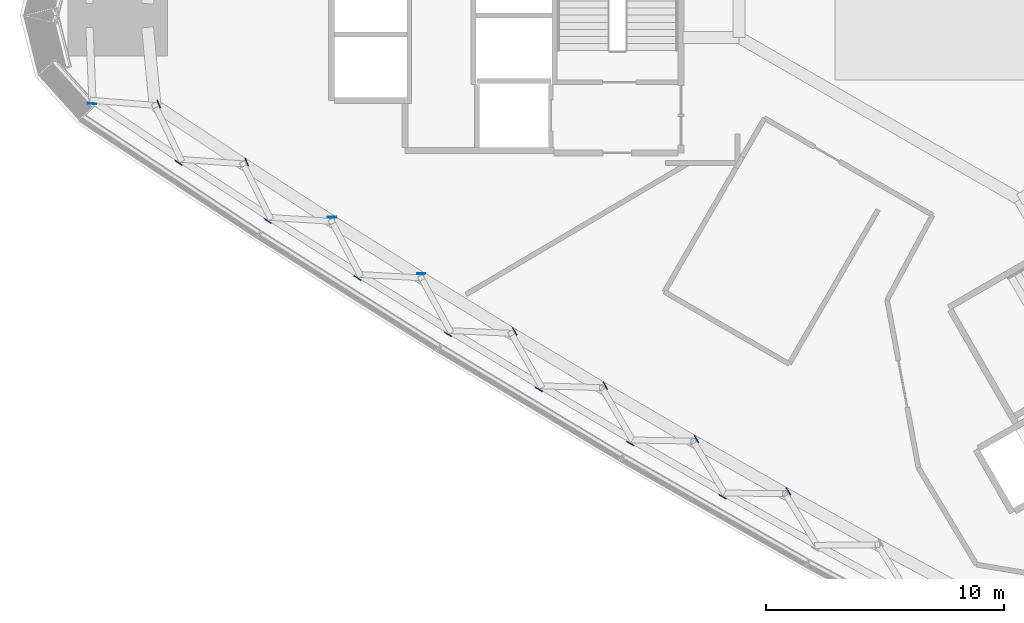
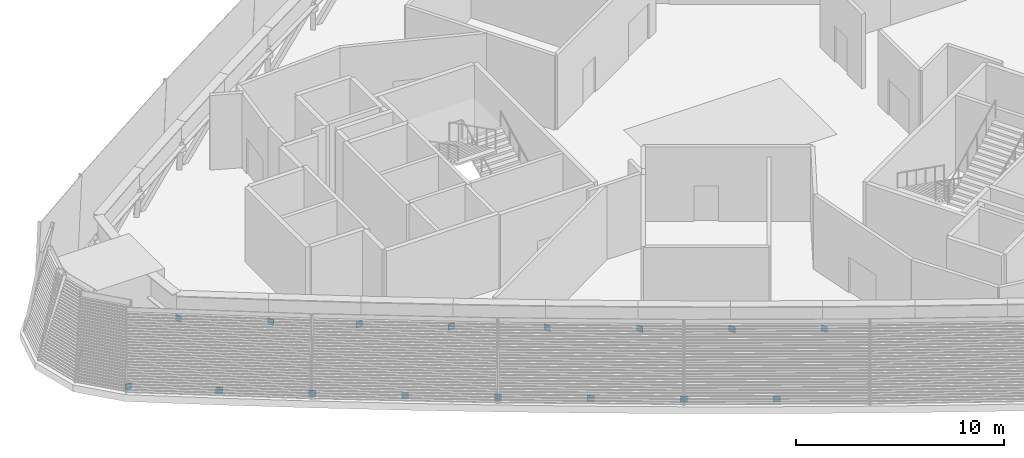
# One storey, part 6 of 19: 16 plates.
"""IFC4 building model written with IfcOpenShell, lengths in metres."""

from ifc_helpers import new_model, si_unit, direction, frame, origin, origin_2d, place, context, subcontext, project, spatial, rectangle, extrude, material, layer, layer_set, type_object, element, save


model = new_model("IFC4")

# Units and contexts
model_context = context("Model", 3, precision=1e-05, world=origin(), true_north=direction((0.0, 1.0)))
body_context = subcontext(model_context, "Body", "Model", "MODEL_VIEW")
ifc_project = project(units=[si_unit("LENGTHUNIT", "METRE"), si_unit("AREAUNIT", "SQUARE_METRE"), si_unit("VOLUMEUNIT", "CUBIC_METRE"), si_unit("PLANEANGLEUNIT", "RADIAN"), si_unit("MASSUNIT", "GRAM", prefix="KILO")], contexts=[model_context])

# Site, building, storey
site_placement = place(None, origin())
site = spatial("IfcSite", under=ifc_project, at=site_placement, CompositionType="ELEMENT")
building_placement = place(site_placement, origin())
building = spatial("IfcBuilding", under=site, at=building_placement, Name="Tamra Quay Hotel Tower", CompositionType="ELEMENT")
storey_placement = place(building_placement, frame((0.0, 0.0, 74.60009765625)))
storey = spatial("IfcBuildingStorey", under=building, at=storey_placement, Name="L17", CompositionType="ELEMENT", Elevation=74.60009765625)

# Plates
ifc_material = material(Name="Structural steel IS 2062 E350", Category="steel")
ifc_layer = layer(ifc_material, 0.030029296875)
ifc_layer_set = layer_set([ifc_layer], Name="BRACE END PLATE 30")
plate_type = type_object("IfcPlateType", Name="BRACE END PLATE 30", PredefinedType="SHEET", material=ifc_layer_set)
for number, where, z_axis, x_axis, name in (
    (1, (-35.5947265625, -3.704345703125, -0.400146484375), (0.0, 0.0, 1.0), (0.080174568402, 0.996780837788, 0.0), "BEP-L17-029"),
    (2, (-31.962890625, -6.1904296875, -0.400146484375), (0.0, 0.0, 1.0), (0.563220345903, 0.826306748103, 0.0), "BEP-L17-030"),
    (3, (-28.21630859375, -8.632568359375, -0.400146484375), (0.0, 0.0, 1.0), (0.552053412357, 0.833808748998, 0.0), "BEP-L17-031"),
    (4, (-24.44287109375, -11.034423828125, -0.400146484375), (0.0, 0.0, 1.0), (0.540633876551, 0.841257993439, 0.0), "BEP-L17-032"),
    (5, (-20.643798828125, -13.3955078125, -0.400146484375), (0.0, 0.0, 1.0), (0.529133091379, 0.848538845079, 0.0), "BEP-L17-033"),
    (6, (-16.820068359375, -15.71484375, -0.400146484375), (0.0, 0.0, 1.0), (0.517611924363, 0.855615506964, 0.0), "BEP-L17-034"),
    (7, (-12.970703125, -17.9931640625, -0.400146484375), (0.0, 0.0, 1.0), (0.505898274548, 0.862593146164, 0.0), "BEP-L17-035"),
    (8, (-9.09716796875, -20.2294921875, -0.400146484375), (0.0, 0.0, 1.0), (0.494086027513, 0.869413018891, 0.0), "BEP-L17-036"),
    (9, (-32.796630859375, -3.71240234375, 2.624755859375), (0.0, 0.0, 1.0), (0.92392961774, 0.382562493539, 0.0), "BEP-L17-069"),
    (10, (-29.09228515625, -6.168701171875, 2.624755859375), (0.0, 0.0, 1.0), (0.918850450187, 0.394605942925, 0.0), "BEP-L17-070"),
    (11, (-25.5185546875, -8.48046875, 2.624755859375), (0.0, 0.0, 1.0), (0.000127409035, 0.999999991883, 0.0), "BEP-L17-071"),
    (12, (-21.763427734375, -10.853271484375, 2.624755859375), (0.0, 0.0, 1.0), (-0.013009317262, 0.999915375252, 0.0), "BEP-L17-072"),
    (13, (-17.8310546875, -13.27978515625, 2.624755859375), (0.0, 0.0, 1.0), (0.878857916606, 0.477083601079, 0.0), "BEP-L17-073"),
    (14, (-14.021240234375, -15.565673828125, 2.624755859375), (0.0, 0.0, 1.0), (0.872529264444, 0.488561851446, 0.0), "BEP-L17-074"),
    (15, (-10.185546875, -17.80810546875, 2.624755859375), (0.0, 0.0, 1.0), (0.866029767075, 0.499992442484, 0.0), "BEP-L17-075"),
    (16, (-6.32470703125, -20.006591796875, 2.624755859375), (0.0, 0.0, 1.0), (0.859376069246, 0.51134408338, 0.0), "BEP-L17-076"),
):
    element("IfcPlate", number, at=place(storey_placement, frame(where, z_axis=z_axis, x_axis=x_axis)), inside=storey, type_object=plate_type, Name=name, PredefinedType="SHEET", context=body_context, shape_type="SweptSolid", body=[
        extrude(rectangle(XDim=0.030029296875, YDim=0.35009765625, at=origin_2d()), origin(), (0.0, 0.0, 1.0), 0.35009765625),
    ])

save(model, "model.ifc")
